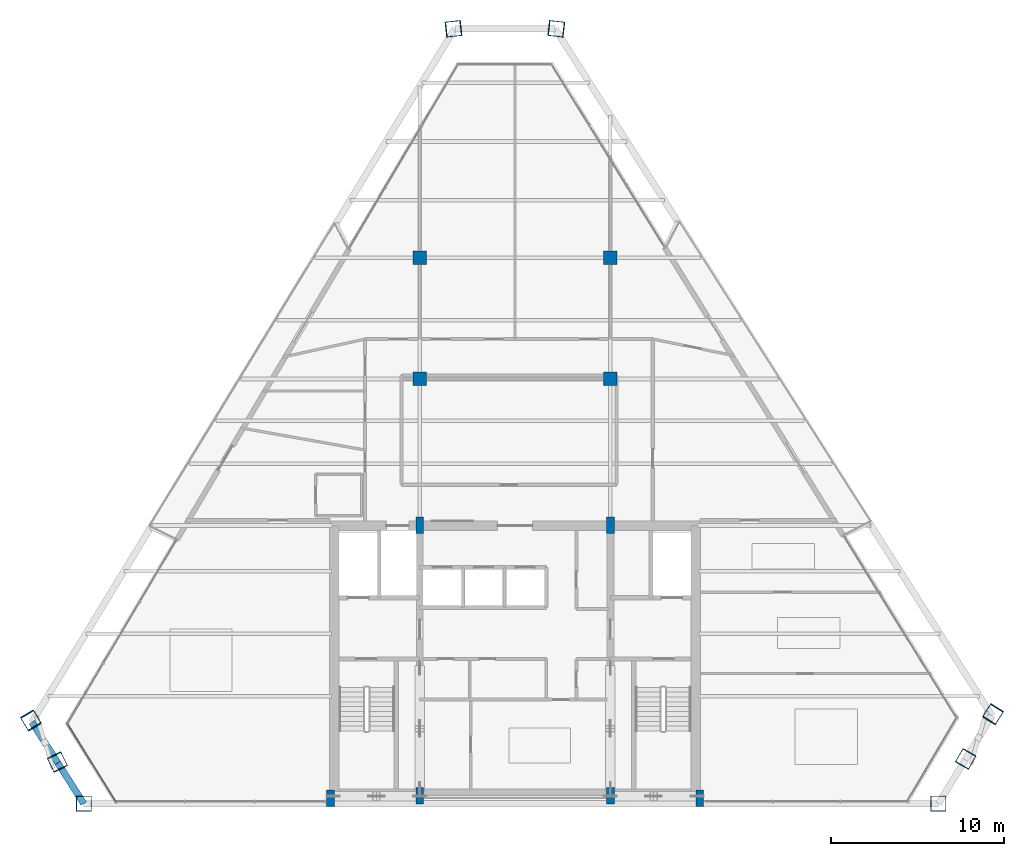
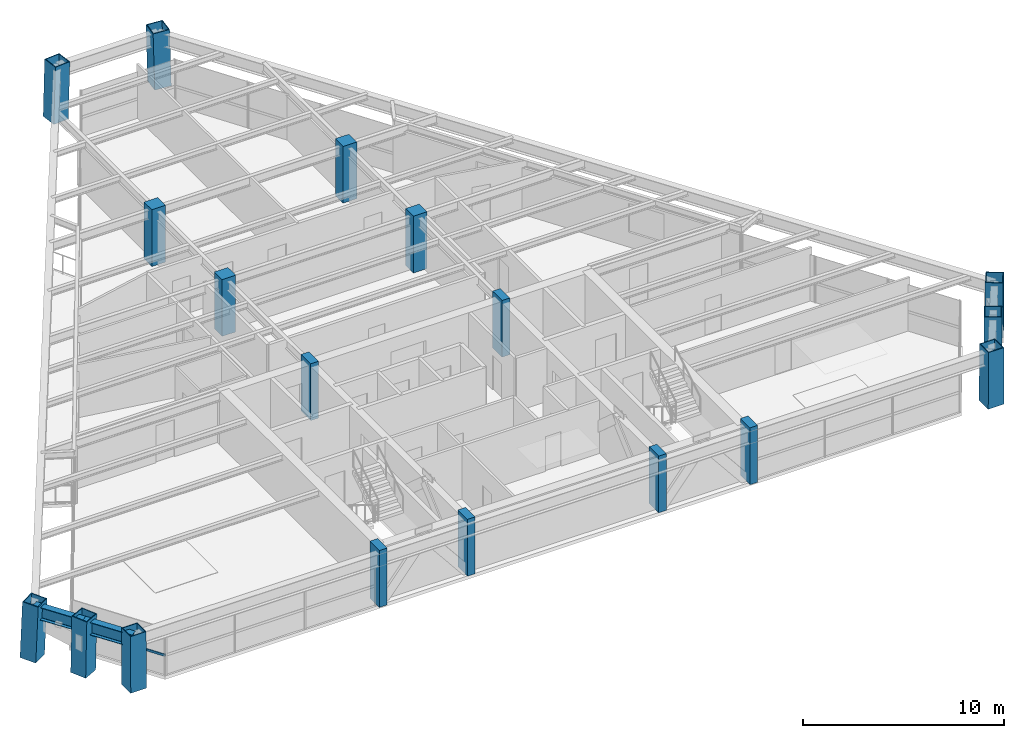
# One storey, part 1 of 12: 18 columns, 2 beams, 1 member, 1 element without a shape of its own.
"""IFC4 building model written with IfcOpenShell, lengths in metres."""

from ifc_helpers import new_model, si_unit, direction, frame, origin, origin_2d, place, context, subcontext, project, spatial, rectangle, hollow_rectangle, i_section, extrude, source, transform, mapped, material, material_profile, profile_set, type_object, element, aggregate, save


model = new_model("IFC4")

# Units and contexts
model_context = context("Model", 3, precision=1e-05, world=origin(), true_north=direction((0.0, 1.0)))
body_context = subcontext(model_context, "Body", "Model", "MODEL_VIEW")
ifc_project = project(units=[si_unit("LENGTHUNIT", "METRE"), si_unit("AREAUNIT", "SQUARE_METRE"), si_unit("VOLUMEUNIT", "CUBIC_METRE"), si_unit("PLANEANGLEUNIT", "RADIAN"), si_unit("MASSUNIT", "GRAM", prefix="KILO")], contexts=[model_context])

# Site, building, storey
site_placement = place(None, origin())
site = spatial("IfcSite", under=ifc_project, at=site_placement, CompositionType="ELEMENT")
building_placement = place(site_placement, origin())
building = spatial("IfcBuilding", under=site, at=building_placement, Name="Varnakhor Terracotta Tower", CompositionType="ELEMENT")
storey_placement = place(building_placement, frame((0.0, 0.0, 233.800048828125)))
storey = spatial("IfcBuildingStorey", under=building, at=storey_placement, Name="L60", CompositionType="ELEMENT", Elevation=233.800048828125)

# Columns
ifc_material_1 = material(Name="Concrete C50/60", Category="concrete")
ifc_material_profile_1 = material_profile(ifc_material_1, rectangle(XDim=0.449951171875, YDim=0.949951171875, at=origin_2d()), Name="RC PILASTER 950x450")
ifc_profile_set_1 = profile_set([ifc_material_profile_1], Name="Concrete C50/60")
column_type_1 = type_object("IfcColumnType", Name="COL-PIL-950x450", PredefinedType="PILASTER", material=ifc_profile_set_1)
shared_shape_1 = source(origin(), body_context, "Body", "SweptSolid", [
    extrude(rectangle(XDim=0.449951171875, YDim=0.949951171875, at=origin_2d()), origin(), (0.0, 0.0, 1.0), 3.449951171875),
])
for number, where, z_axis, x_axis, name in (
    (1, (-10.64990234375, 0.300048828125, 0.0), (0.0, 0.0, 1.0), (1.0, 0.0, 0.0), "L60 Core Pilaster CP1"),
    (2, (-5.5, 0.449951171875, 0.0), (0.0, 0.0, 1.0), (1.0, 0.0, 0.0), "L60 Core Pilaster CP2"),
    (3, (5.5, 0.449951171875, 0.0), (0.0, 0.0, 1.0), (1.0, 0.0, 0.0), "L60 Core Pilaster CP3"),
    (4, (10.64990234375, 0.300048828125, 0.0), (0.0, 0.0, 1.0), (1.0, 0.0, 0.0), "L60 Core Pilaster CP4"),
    (5, (-5.5, 16.050048828125, 0.0), (0.0, 0.0, 1.0), (1.0, 0.0, 0.0), "L60 Core Pilaster CP5"),
    (6, (5.5, 16.050048828125, 0.0), (0.0, 0.0, 1.0), (1.0, 0.0, 0.0), "L60 Core Pilaster CP6"),
):
    element("IfcColumn", number, at=place(storey_placement, frame(where, z_axis=z_axis, x_axis=x_axis)), inside=storey, type_object=column_type_1, Name=name, PredefinedType="PILASTER", context=body_context, shape_type="MappedRepresentation", body=[
        mapped(shared_shape_1, transform((0.0, 0.0, 0.0), scale=1.0)),
    ])
ifc_material_2 = material(Name="Steel S460", Category="steel")
ifc_material_profile_2 = material_profile(ifc_material_2, hollow_rectangle(XDim=0.89990234375, YDim=0.89990234375, WallThickness=0.044921875, at=origin_2d()), Name="BOX 900x900x45")
ifc_profile_set_2 = profile_set([ifc_material_profile_2], Name="Steel S460")
column_type_2 = type_object("IfcColumnType", Name="COL-MEGA-900", PredefinedType="COLUMN", material=ifc_profile_set_2)
shared_shape_2 = source(origin(), body_context, "Body", "SweptSolid", [
    extrude(hollow_rectangle(XDim=0.89990234375, YDim=0.89990234375, WallThickness=0.044921875, at=origin_2d()), origin(), (0.0, 0.0, 1.0), 3.441162109375),
])
for number, where, z_axis, x_axis, name in (
    (7, (-24.873291015625, 0.0, 0.00439453125), (-0.0035473349, 0.0, 0.999993708188), (0.0, -1.0, 0.0), "L60 Perimeter Mega-Column M1"),
    (8, (24.42431640625, 0.0, 0.00439453125), (0.00177367582, 0.0, 0.999998427036), (0.0, 1.0, 0.0), "L60 Perimeter Mega-Column M2"),
):
    element("IfcColumn", number, at=place(storey_placement, frame(where, z_axis=z_axis, x_axis=x_axis)), inside=storey, type_object=column_type_2, Name=name, PredefinedType="COLUMN", context=body_context, shape_type="MappedRepresentation", body=[
        mapped(shared_shape_2, transform((0.0, 0.0, 0.0), scale=1.0)),
    ])
shared_shape_3 = source(origin(), body_context, "Body", "SweptSolid", [
    extrude(hollow_rectangle(XDim=0.89990234375, YDim=0.89990234375, WallThickness=0.044921875, at=origin_2d()), origin(), (0.0, 0.0, 1.0), 3.44189453125),
])
for number, where, z_axis, x_axis, name in (
    (9, (26.006591796875, 2.58837890625, 0.00439453125), (-0.009505189246, -0.016527679809, 0.999818227068), (0.866866107438, -0.498541023162, 0.0), "L60 Perimeter Mega-Column M3"),
    (10, (-26.40869140625, 2.40869140625, 0.00439453125), (0.008582991744, -0.017378784935, 0.999812137397), (0.896612194763, 0.442816634965, 0.0), "L60 Perimeter Mega-Column M8"),
):
    element("IfcColumn", number, at=place(storey_placement, frame(where, z_axis=z_axis, x_axis=x_axis)), inside=storey, type_object=column_type_2, Name=name, PredefinedType="COLUMN", context=body_context, shape_type="MappedRepresentation", body=[
        mapped(shared_shape_3, transform((0.0, 0.0, 0.0), scale=1.0)),
    ])
shared_shape_4 = source(origin(), body_context, "Body", "SweptSolid", [
    extrude(hollow_rectangle(XDim=0.89990234375, YDim=0.89990234375, WallThickness=0.044921875, at=origin_2d()), origin(), (0.0, 0.0, 1.0), 3.44384765625),
])
column_1_placement = place(storey_placement, frame((27.588623046875, 5.177001953125, 0.00439453125), z_axis=(-0.020700816445, -0.033036234464, 0.999239752718), x_axis=(0.847384785563, -0.530979307692, 0.0)))
element("IfcColumn", 11, at=column_1_placement, inside=storey, type_object=column_type_2, Name="L60 Perimeter Mega-Column M4", PredefinedType="COLUMN", context=body_context, shape_type="MappedRepresentation", body=[
    mapped(shared_shape_4, transform((0.0, 0.0, 0.0), scale=1.0)),
])
shared_shape_5 = source(origin(), body_context, "Body", "SweptSolid", [
    extrude(hollow_rectangle(XDim=0.89990234375, YDim=0.89990234375, WallThickness=0.044921875, at=origin_2d()), origin(), (0.0, 0.0, 1.0), 3.444091796875),
])
column_2_placement = place(storey_placement, frame((-27.9443359375, 4.8173828125, 0.00439453125), z_axis=(0.020770481601, -0.034735617694, 0.999180676333), x_axis=(0.858264705856, 0.513207262889, 0.0)))
element("IfcColumn", 12, at=column_2_placement, inside=storey, type_object=column_type_2, Name="L60 Perimeter Mega-Column M7", PredefinedType="COLUMN", context=body_context, shape_type="MappedRepresentation", body=[
    mapped(shared_shape_5, transform((0.0, 0.0, 0.0), scale=1.0)),
])
ifc_material_profile_3 = material_profile(ifc_material_1, rectangle(XDim=0.780029296875, YDim=0.780029296875, at=origin_2d()), Name="RC 780x780")
ifc_profile_set_3 = profile_set([ifc_material_profile_3], Name="Concrete C50/60")
column_type_3 = type_object("IfcColumnType", Name="COL-RC-780", PredefinedType="COLUMN", material=ifc_profile_set_3)
shared_shape_6 = source(origin(), body_context, "Body", "SweptSolid", [
    extrude(rectangle(XDim=0.780029296875, YDim=0.780029296875, at=origin_2d()), origin(), (0.0, 0.0, 1.0), 3.449951171875),
])
for number, where, z_axis, x_axis, name in (
    (13, (-5.5, 24.5, 0.0), (0.0, 0.0, 1.0), (1.0, 0.0, 0.0), "L60 Interior Tower Column IC1"),
    (14, (5.5, 24.5, 0.0), (0.0, 0.0, 1.0), (1.0, 0.0, 0.0), "L60 Interior Tower Column IC2"),
    (15, (-5.5, 31.5, 0.0), (0.0, 0.0, 1.0), (1.0, 0.0, 0.0), "L60 Interior Tower Column IC3"),
    (16, (5.5, 31.5, 0.0), (0.0, 0.0, 1.0), (1.0, 0.0, 0.0), "L60 Interior Tower Column IC4"),
):
    element("IfcColumn", number, at=place(storey_placement, frame(where, z_axis=z_axis, x_axis=x_axis)), inside=storey, type_object=column_type_3, Name=name, PredefinedType="COLUMN", context=body_context, shape_type="MappedRepresentation", body=[
        mapped(shared_shape_6, transform((0.0, 0.0, 0.0), scale=1.0)),
    ])
shared_shape_7 = source(origin(), body_context, "Body", "SweptSolid", [
    extrude(hollow_rectangle(XDim=0.89990234375, YDim=0.89990234375, WallThickness=0.044921875, at=origin_2d()), origin(), (0.0, 0.0, 1.0), 3.4423828125),
])
for number, where, z_axis, x_axis, name in (
    (17, (2.39306640625, 44.70068359375, 0.00439453125), (-0.0251781452, 0.00290789846, 0.999678750965), (-0.114730320195, -0.993396674862, 0.0), "L60 Perimeter Mega-Column M5"),
    (18, (-3.56689453125, 44.70068359375, 0.00439453125), (0.026241292746, 0.002907818926, 0.999651408814), (-0.110136687727, 0.993916450219, 0.0), "L60 Perimeter Mega-Column M6"),
):
    element("IfcColumn", number, at=place(storey_placement, frame(where, z_axis=z_axis, x_axis=x_axis)), inside=storey, type_object=column_type_2, Name=name, PredefinedType="COLUMN", context=body_context, shape_type="MappedRepresentation", body=[
        mapped(shared_shape_7, transform((0.0, 0.0, 0.0), scale=1.0)),
    ])

# Beams
ifc_material_3 = material(Name="Steel S355", Category="steel")
ifc_material_profile_4 = material_profile(ifc_material_3, i_section(OverallWidth=0.381103515625, OverallDepth=0.77294921875, WebThickness=0.01708984375, FlangeThickness=0.027099609375, FilletRadius=0.01806640625, at=origin_2d()), Name="W30X173")
ifc_profile_set_4 = profile_set([ifc_material_profile_4], Name="Steel S355")
beam_type = type_object("IfcBeamType", Name="BM-W30X173", PredefinedType="BEAM", material=ifc_profile_set_4)
shared_shape_8 = source(origin(), body_context, "Body", "SweptSolid", [
    extrude(i_section(OverallWidth=0.381103515625, OverallDepth=0.77294921875, WebThickness=0.01708984375, FlangeThickness=0.027099609375, FilletRadius=0.01806640625, at=origin_2d()), origin(), (0.0, 0.0, 1.0), 2.783447265625),
])
for number, where, z_axis, x_axis, name in (
    (19, (-27.872802734375, 4.69775390625, 2.853515625), (0.536597377161, -0.843838405634, 0.0), (0.843838405634, 0.536597377161, 0.0), "L60 Perimeter Spandrel 7"),
    (20, (-26.379150390625, 2.348876953125, 2.853515625), (0.536597377161, -0.843838405634, 0.0), (0.843838405634, 0.536597377161, 0.0), "L60 Perimeter Spandrel 8"),
):
    element("IfcBeam", number, at=place(storey_placement, frame(where, z_axis=z_axis, x_axis=x_axis)), inside=storey, type_object=beam_type, Name=name, PredefinedType="BEAM", context=body_context, shape_type="MappedRepresentation", body=[
        mapped(shared_shape_8, transform((0.0, 0.0, 0.0), scale=1.0)),
    ])

# Curtain wall, member
ifc_material_4 = material(Name="Anodised Aluminium Curtain Wall System", Category="aluminium")
curtain_wall_type = type_object("IfcCurtainWallType", Name="CW-SYS-HOTEL-LOGGIA", PredefinedType="NOTDEFINED", material=ifc_material_4)
curtain_wall_placement = place(storey_placement, origin())
curtain_wall = element("IfcCurtainWall", 21, at=curtain_wall_placement, inside=storey, type_object=curtain_wall_type, Name="L60 Facet Curtain Wall 6", PredefinedType="NOTDEFINED")
ifc_material_5 = material(Name="Anodised Aluminium 6063-T6", Category="aluminium")
ifc_material_profile_5 = material_profile(ifc_material_5, rectangle(XDim=0.06494140625, YDim=0.14501953125, at=origin_2d()), Name="ALU TRANSOM 65x145")
ifc_profile_set_5 = profile_set([ifc_material_profile_5], Name="Anodised Aluminium 6063-T6")
member_type = type_object("IfcMemberType", Name="CWT-04", PredefinedType="USERDEFINED", material=ifc_profile_set_5)
shared_shape_9 = source(origin(), body_context, "Body", "SweptSolid", [
    extrude(rectangle(XDim=0.06494140625, YDim=0.14501953125, at=origin_2d()), origin(), (0.0, 0.0, 1.0), 5.362060546875),
])
member_placement = place(storey_placement, frame((-23.015380859375, 0.088623046875, 1.184326171875), z_axis=(-0.526942300009, 0.849901060396, 0.0), x_axis=(-0.849901060396, -0.526942300009, 0.0)))
member = element("IfcMember", 22, at=member_placement, type_object=member_type, Name="L60 Facet Curtain Wall 6 Transom 1", ObjectType="TRANSOM", PredefinedType="USERDEFINED", context=body_context, shape_type="MappedRepresentation", body=[
    mapped(shared_shape_9, transform((0.0, 0.0, 0.0), scale=1.0)),
])
aggregate(curtain_wall, [member])

save(model, "model.ifc")
